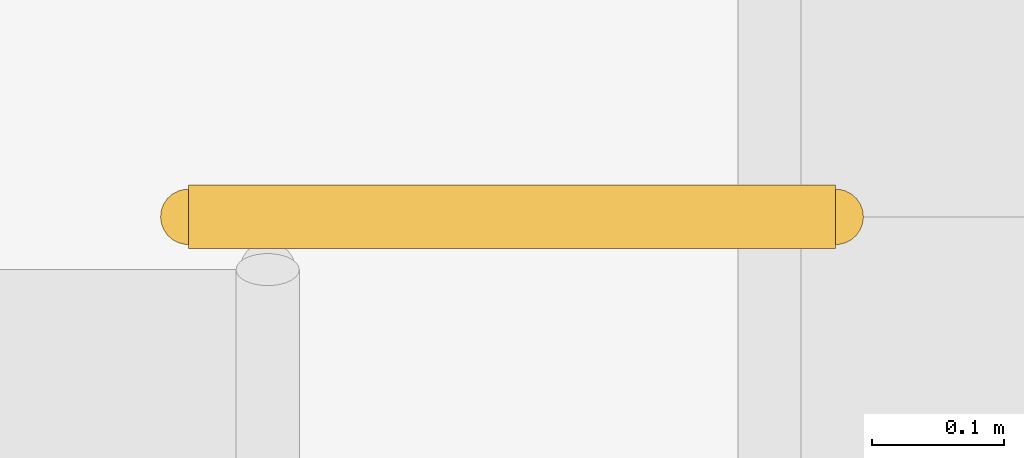
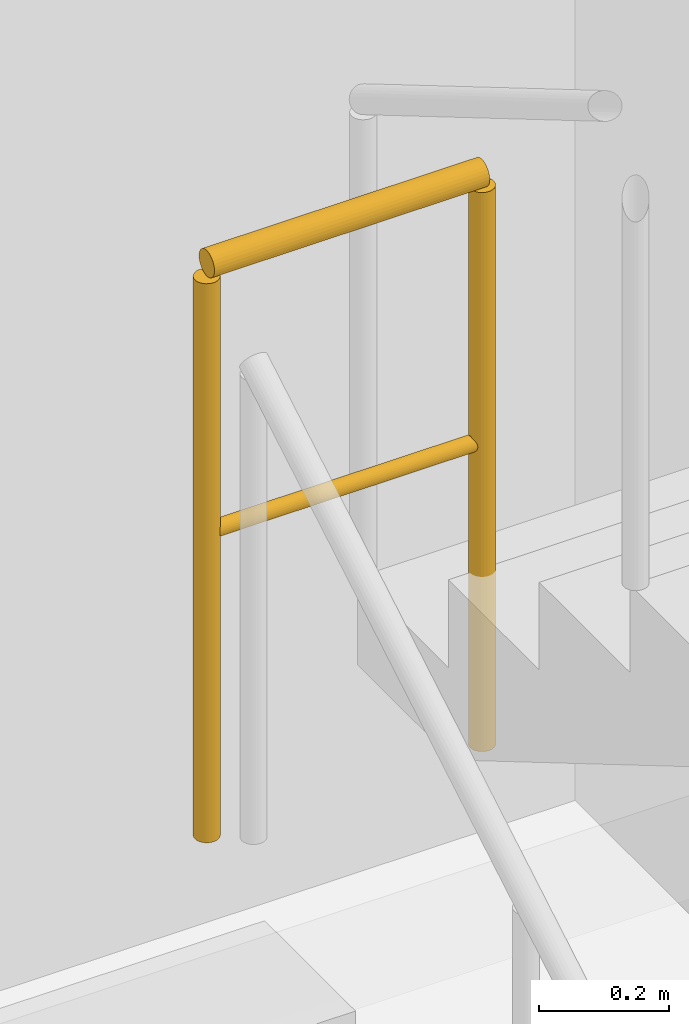
# One storey, part 44 of 48: 1 railing.
"""IFC4 building model written with IfcOpenShell, lengths in metres."""

from ifc_helpers import new_model, si_unit, derived_unit, direction, frame, origin, origin_2d, place, context, subcontext, project, spatial, circle, extrude, material, type_object, element, save


model = new_model("IFC4")

# Units and contexts
model_context = context("Model", 3, precision=1e-05, world=origin(), true_north=direction((0.0, 1.0)))
body_context = subcontext(model_context, "Body", "Model", "MODEL_VIEW")
ifc_project = project(units=[si_unit("LENGTHUNIT", "METRE"), si_unit("AREAUNIT", "SQUARE_METRE"), si_unit("VOLUMEUNIT", "CUBIC_METRE"), si_unit("PLANEANGLEUNIT", "RADIAN"), si_unit("MASSUNIT", "GRAM", prefix="KILO"), derived_unit("THERMALTRANSMITTANCEUNIT", [(si_unit("MASSUNIT", "GRAM", prefix="KILO"), 1), (si_unit("TIMEUNIT", "SECOND"), -3), (si_unit("THERMODYNAMICTEMPERATUREUNIT", "KELVIN"), -1)])], contexts=[model_context])

# Site, building, storey
site_placement = place(None, origin())
site = spatial("IfcSite", under=ifc_project, at=site_placement, CompositionType="ELEMENT")
building_placement = place(site_placement, origin())
building = spatial("IfcBuilding", under=site, at=building_placement, Name="Veyamyaing Civic Hall", CompositionType="ELEMENT")
storey_placement = place(building_placement, frame((0.0, 0.0, -4.2900390625)))
storey = spatial("IfcBuildingStorey", under=building, at=storey_placement, Name="B1", CompositionType="ELEMENT", Elevation=-4.2900390625)

# Railing
ifc_material = material(Name="Steel S355J2", Category="steel")
railing_type = type_object("IfcRailingType", Name="RL-01", PredefinedType="BALUSTRADE", material=ifc_material)
railing_placement = place(storey_placement, frame((33.780029296875, 101.35009765625, 2.14501953125)))
element("IfcRailing", 1, at=railing_placement, inside=storey, type_object=railing_type, Name="Half-landing slot guard RL-01 ST-02 B1", PredefinedType="BALUSTRADE", context=body_context, shape_type="SweptSolid", body=[
    extrude(circle(Radius=0.02392578125, at=origin_2d()), frame((0.0, 0.0, 1.076171875), z_axis=(1.0, 0.0, 0.0), x_axis=(0.0, 1.0, 0.0)), (0.0, 0.0, 1.0), 0.489990234375),
    extrude(circle(Radius=0.01416015625, at=origin_2d()), frame((0.0, 0.0, 0.572021484375), z_axis=(1.0, 0.0, 0.0), x_axis=(0.0, 1.0, 0.0)), (0.0, 0.0, 1.0), 0.489990234375),
    extrude(circle(Radius=0.02099609375, at=origin_2d()), origin(), (0.0, 0.0, 1.0), 1.052001953125),
    extrude(circle(Radius=0.02099609375, at=origin_2d()), frame((0.489990234375, 0.0, 0.0)), (0.0, 0.0, 1.0), 1.052001953125),
])

save(model, "model.ifc")
